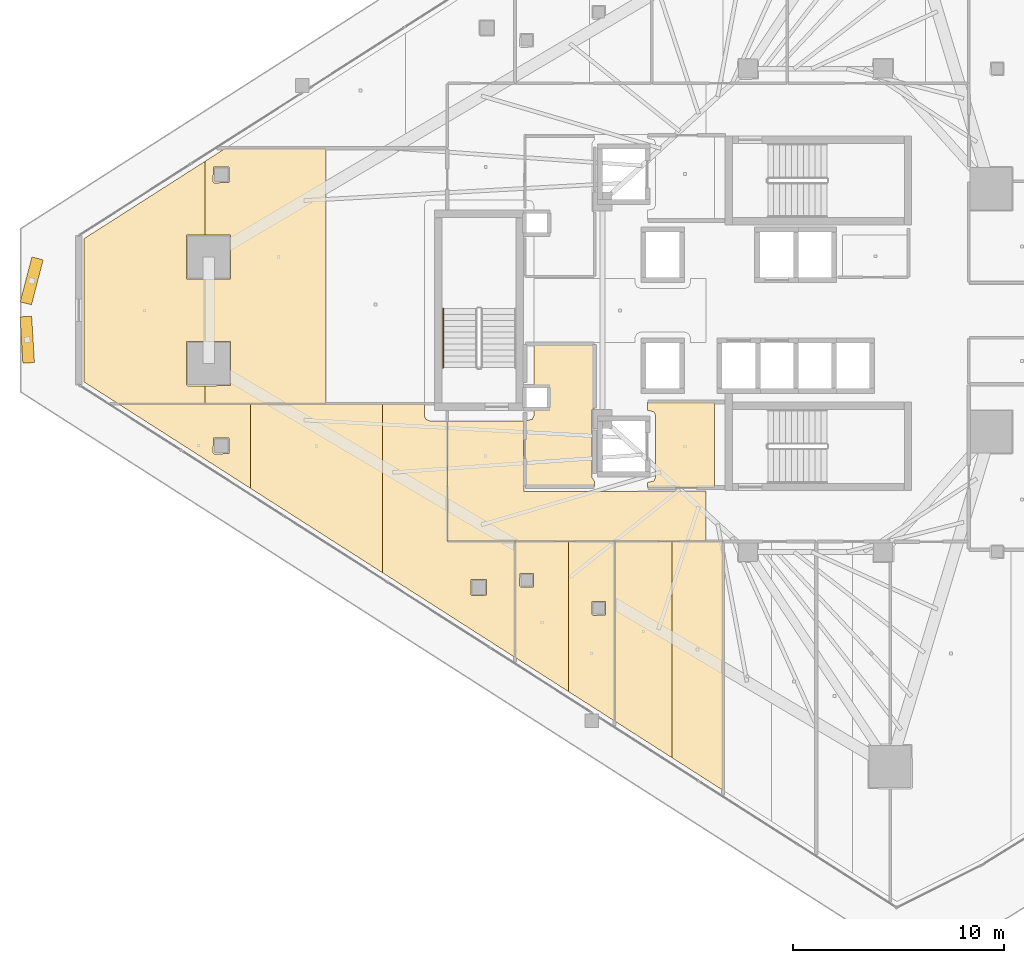
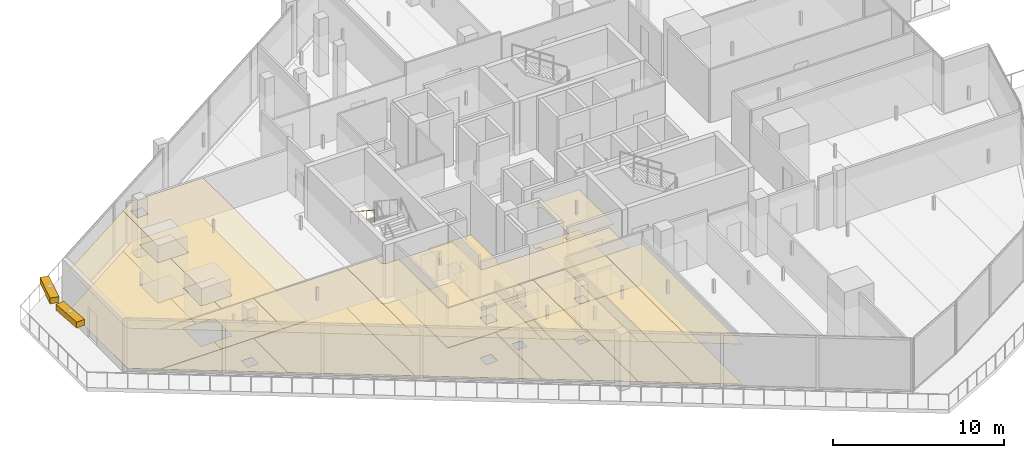
# One storey, part 31 of 37: 23 coverings, 2 shading devices, 1 railing.
"""IFC4 building model written with IfcOpenShell, lengths in metres."""

from ifc_helpers import new_model, si_unit, direction, frame, origin, origin_2d, place, context, subcontext, project, spatial, polyline, rectangle, circle, outline, extrude, material, layer, layer_set, type_object, element, save


model = new_model("IFC4")

# Units and contexts
model_context = context("Model", 3, precision=1e-05, world=origin(), true_north=direction((0.0, 1.0)))
body_context = subcontext(model_context, "Body", "Model", "MODEL_VIEW")
ifc_project = project(units=[si_unit("LENGTHUNIT", "METRE"), si_unit("AREAUNIT", "SQUARE_METRE"), si_unit("VOLUMEUNIT", "CUBIC_METRE"), si_unit("PLANEANGLEUNIT", "RADIAN"), si_unit("MASSUNIT", "GRAM", prefix="KILO")], contexts=[model_context])

# Site, building, storey
site_placement = place(None, origin())
site = spatial("IfcSite", under=ifc_project, at=site_placement, CompositionType="ELEMENT")
building_placement = place(site_placement, origin())
building = spatial("IfcBuilding", under=site, at=building_placement, Name="Qorvath Tower", CompositionType="ELEMENT")
storey_placement = place(building_placement, frame((0.0, 0.0, 184.800048828125)))
storey = spatial("IfcBuildingStorey", under=building, at=storey_placement, Name="L42", CompositionType="ELEMENT", Elevation=184.800048828125)

# Coverings
ifc_material_1 = material(Name="Acoustic mineral fibre ceiling tile", Category="gypsum")
ifc_layer_1 = layer(ifc_material_1, 0.030029296875)
ifc_layer_set_1 = layer_set([ifc_layer_1], Name="COV-CEIL")
covering_type_1 = type_object("IfcCoveringType", Name="COV-CEIL", PredefinedType="CEILING", material=ifc_layer_set_1)
covering_1_placement = place(storey_placement, frame((0.0, 0.0, 2.849853515625)))
element("IfcCovering", 1, at=covering_1_placement, inside=storey, type_object=covering_type_1, Name="L42 Suspended Acoustic Ceiling 002", PredefinedType="CEILING", context=body_context, shape_type="SweptSolid", body=[
    extrude(outline(polyline([(-25.18994140625, -8.39501953125), (-25.18994140625, -4.35498046875), (-28.375, -4.35498046875), (-28.375, -4.739990234375), (-28.063232421875, -4.813232421875), (-27.989990234375, -4.989990234375), (-27.989990234375, -7.909912109375), (-28.063232421875, -8.086669921875), (-28.375, -8.159912109375), (-28.375, -8.39501953125), (-25.18994140625, -8.39501953125)])), origin(), (0.0, 0.0, 1.0), 0.030029296875),
])
covering_2_placement = place(storey_placement, frame((0.0, 0.0, 2.849853515625)))
element("IfcCovering", 2, at=covering_2_placement, inside=storey, type_object=covering_type_1, Name="L42 Suspended Acoustic Ceiling 006", PredefinedType="CEILING", context=body_context, shape_type="SweptSolid", body=[
    extrude(outline(polyline([(-34.22509765625, -8.580078125), (-34.251220703125, -5.239990234375), (-37.844970703125, -5.239990234375), (-37.844970703125, -10.945068359375), (-25.6044921875, -10.945068359375), (-25.6044921875, -8.574462890625), (-34.22509765625, -8.580078125)])), origin(), (0.0, 0.0, 1.0), 0.030029296875),
])
covering_3_placement = place(storey_placement, frame((0.0, 0.0, 2.849853515625)))
element("IfcCovering", 3, at=covering_3_placement, inside=storey, type_object=covering_type_1, Name="L42 Suspended Acoustic Ceiling 016", PredefinedType="CEILING", context=body_context, shape_type="SweptSolid", body=[
    extrude(outline(polyline([(-34.64501953125, -10.962890625), (-34.64501953125, -16.4560546875), (-32.11865234375, -18.07080078125), (-32.11865234375, -10.962890625), (-34.64501953125, -10.962890625)]), holes=[polyline([(-34.439208984375, -13.0673828125), (-34.421630859375, -12.47509765625), (-33.786865234375, -12.47509765625), (-33.786865234375, -13.10986328125), (-34.379150390625, -13.12744140625), (-34.439208984375, -13.0673828125)])]), origin(), (0.0, 0.0, 1.0), 0.030029296875),
])
covering_4_placement = place(storey_placement, frame((0.0, 0.0, 2.849853515625)))
element("IfcCovering", 4, at=covering_4_placement, inside=storey, type_object=covering_type_1, Name="L42 Suspended Acoustic Ceiling 017", PredefinedType="CEILING", context=body_context, shape_type="SweptSolid", body=[
    extrude(outline(polyline([(-32.11865234375, -10.962890625), (-32.11865234375, -18.07080078125), (-29.942626953125, -19.46142578125), (-29.942626953125, -10.962890625), (-32.11865234375, -10.962890625)]), holes=[polyline([(-31.01220703125, -14.3994140625), (-30.99462890625, -13.806884765625), (-30.35986328125, -13.806884765625), (-30.35986328125, -14.441650390625), (-30.9521484375, -14.459228515625), (-31.01220703125, -14.3994140625)])]), origin(), (0.0, 0.0, 1.0), 0.030029296875),
])
covering_5_placement = place(storey_placement, frame((0.0, 0.0, 2.849853515625)))
element("IfcCovering", 5, at=covering_5_placement, inside=storey, type_object=covering_type_1, Name="L42 Suspended Acoustic Ceiling 018", PredefinedType="CEILING", context=body_context, shape_type="SweptSolid", body=[
    extrude(outline(polyline([(-27.22314453125, -21.199462890625), (-27.22314453125, -10.962890625), (-29.9248046875, -10.962890625), (-29.9248046875, -19.472900390625), (-27.22314453125, -21.199462890625)])), origin(), (0.0, 0.0, 1.0), 0.030029296875),
])
covering_6_placement = place(storey_placement, frame((0.0, 0.0, 2.849853515625)))
element("IfcCovering", 6, at=covering_6_placement, inside=storey, type_object=covering_type_1, Name="L42 Suspended Acoustic Ceiling 019", PredefinedType="CEILING", context=body_context, shape_type="SweptSolid", body=[
    extrude(outline(polyline([(-24.797607421875, -10.962890625), (-27.22314453125, -10.962890625), (-27.22314453125, -21.199462890625), (-24.797607421875, -22.749755859375), (-24.797607421875, -10.962890625)])), origin(), (0.0, 0.0, 1.0), 0.030029296875),
])
covering_7_placement = place(storey_placement, frame((0.0, 0.0, 2.849853515625)))
element("IfcCovering", 7, at=covering_7_placement, inside=storey, type_object=covering_type_1, Name="L42 Suspended Acoustic Ceiling 036", PredefinedType="CEILING", context=body_context, shape_type="SweptSolid", body=[
    extrude(outline(polyline([(-47.185546875, -8.44091796875), (-47.185546875, -4.439208984375), (-53.44677734375, -4.439208984375), (-47.185546875, -8.44091796875)]), holes=[polyline([(-48.96337890625, -6.74951171875), (-48.94580078125, -6.05712890625), (-48.2109375, -6.05712890625), (-48.2109375, -6.7919921875), (-48.9033203125, -6.8095703125), (-48.96337890625, -6.74951171875)])]), origin(), (0.0, 0.0, 1.0), 0.030029296875),
])
covering_8_placement = place(storey_placement, frame((0.0, 0.0, 2.849853515625)))
element("IfcCovering", 8, at=covering_8_placement, inside=storey, type_object=covering_type_1, Name="L42 Suspended Acoustic Ceiling 037", PredefinedType="CEILING", context=body_context, shape_type="SweptSolid", body=[
    extrude(outline(polyline([(-40.92431640625, -12.442626953125), (-40.92431640625, -4.439208984375), (-47.185546875, -4.439208984375), (-47.185546875, -8.44091796875), (-40.92431640625, -12.442626953125)])), origin(), (0.0, 0.0, 1.0), 0.030029296875),
])
covering_9_placement = place(storey_placement, frame((0.0, 0.0, 2.849853515625)))
element("IfcCovering", 9, at=covering_9_placement, inside=storey, type_object=covering_type_1, Name="L42 Suspended Acoustic Ceiling 038", PredefinedType="CEILING", context=body_context, shape_type="SweptSolid", body=[
    extrude(outline(polyline([(-37.863037109375, -10.9580078125), (-37.863037109375, -5.239990234375), (-38.699951171875, -5.239990234375), (-38.876708984375, -5.166748046875), (-38.949951171875, -4.989990234375), (-38.949951171875, -4.439208984375), (-40.92431640625, -4.439208984375), (-40.92431640625, -12.442626953125), (-34.6630859375, -16.444580078125), (-34.6630859375, -10.962890625), (-37.863037109375, -10.9580078125)]), holes=[polyline([(-36.749755859375, -13.46044921875), (-36.732177734375, -12.76806640625), (-35.997314453125, -12.76806640625), (-35.997314453125, -13.5029296875), (-36.689697265625, -13.5205078125), (-36.749755859375, -13.46044921875)])]), origin(), (0.0, 0.0, 1.0), 0.030029296875),
])
covering_10_placement = place(storey_placement, frame((0.0, 0.0, 2.849853515625)))
element("IfcCovering", 10, at=covering_10_placement, inside=storey, type_object=covering_type_1, Name="L42 Suspended Acoustic Ceiling 039", PredefinedType="CEILING", context=body_context, shape_type="SweptSolid", body=[
    extrude(outline(polyline([(-49.336181640625, -4.421142578125), (-49.336181640625, -3.58056640625), (-50.171875, -3.587890625), (-50.23193359375, -3.52783203125), (-50.21435546875, -1.4853515625), (-49.336181640625, -1.4853515625), (-49.336181640625, 1.4853515625), (-50.21435546875, 1.4853515625), (-50.21435546875, 3.5703125), (-49.336181640625, 3.5703125), (-49.336181640625, 7.06640625), (-55.07275390625, 3.39990234375), (-55.07275390625, -3.39990234375), (-53.47509765625, -4.421142578125), (-49.336181640625, -4.421142578125)])), origin(), (0.0, 0.0, 1.0), 0.030029296875),
])
covering_11_placement = place(storey_placement, frame((0.0, 0.0, 2.849853515625)))
element("IfcCovering", 11, at=covering_11_placement, inside=storey, type_object=covering_type_1, Name="L42 Suspended Acoustic Ceiling 040", PredefinedType="CEILING", context=body_context, shape_type="SweptSolid", body=[
    extrude(outline(polyline([(-43.599609375, -4.421142578125), (-43.599609375, 7.675048828125), (-48.3837890625, 7.675048828125), (-49.336181640625, 7.06640625), (-49.336181640625, 3.5703125), (-48.12939453125, 3.5703125), (-48.12939453125, 1.4853515625), (-49.336181640625, 1.4853515625), (-49.336181640625, -1.4853515625), (-48.12939453125, -1.4853515625), (-48.12939453125, -3.5703125), (-49.336181640625, -3.58056640625), (-49.336181640625, -4.421142578125), (-43.599609375, -4.421142578125)]), holes=[polyline([(-48.96337890625, 6.099609375), (-48.94580078125, 6.7919921875), (-48.2109375, 6.7919921875), (-48.2109375, 6.05712890625), (-48.9033203125, 6.03955078125), (-48.96337890625, 6.099609375)])]), origin(), (0.0, 0.0, 1.0), 0.030029296875),
])
ifc_material_2 = material(Name="Low-VOC modular carpet tile", Category="textile")
ifc_layer_2 = layer(ifc_material_2, 0.014892578125)
ifc_layer_set_2 = layer_set([ifc_layer_2], Name="COV-FLOOR-CPT")
covering_type_2 = type_object("IfcCoveringType", Name="COV-FLOOR-CPT", PredefinedType="FLOORING", material=ifc_layer_set_2)
covering_12_placement = place(storey_placement, origin())
element("IfcCovering", 12, at=covering_12_placement, inside=storey, type_object=covering_type_2, Name="L42 Floor Finish 005", PredefinedType="FLOORING", context=body_context, shape_type="SweptSolid", body=[
    extrude(outline(polyline([(-30.885009765625, -1.60498046875), (-33.760009765625, -1.60498046875), (-33.760009765625, -3.636962890625), (-33.08837890625, -3.638427734375), (-33.0869140625, -4.6279296875), (-33.760009765625, -4.633056640625), (-33.760009765625, -4.989990234375), (-33.833251953125, -5.166748046875), (-34.175048828125, -5.239990234375), (-34.175048828125, -8.344970703125), (-30.885009765625, -8.344970703125), (-30.885009765625, -8.108154296875), (-31.010009765625, -7.909912109375), (-31.010009765625, -4.989990234375), (-31.010009765625, -4.699951171875), (-30.885009765625, -4.639892578125), (-30.885009765625, -1.60498046875)])), origin(), (0.0, 0.0, 1.0), 0.014892578125),
])
covering_13_placement = place(storey_placement, origin())
element("IfcCovering", 13, at=covering_13_placement, inside=storey, type_object=covering_type_2, Name="L42 Floor Finish 016", PredefinedType="FLOORING", context=body_context, shape_type="SweptSolid", body=[
    extrude(outline(polyline([(-34.64501953125, -10.962890625), (-34.64501953125, -16.4560546875), (-32.11865234375, -18.07080078125), (-32.11865234375, -10.962890625), (-34.64501953125, -10.962890625)]), holes=[polyline([(-34.439208984375, -13.0673828125), (-34.421630859375, -12.47509765625), (-33.786865234375, -12.47509765625), (-33.786865234375, -13.10986328125), (-34.379150390625, -13.12744140625), (-34.439208984375, -13.0673828125)])]), origin(), (0.0, 0.0, 1.0), 0.014892578125),
])
covering_14_placement = place(storey_placement, origin())
element("IfcCovering", 14, at=covering_14_placement, inside=storey, type_object=covering_type_2, Name="L42 Floor Finish 017", PredefinedType="FLOORING", context=body_context, shape_type="SweptSolid", body=[
    extrude(outline(polyline([(-32.11865234375, -10.962890625), (-32.11865234375, -18.07080078125), (-29.942626953125, -19.46142578125), (-29.942626953125, -10.962890625), (-32.11865234375, -10.962890625)]), holes=[polyline([(-31.01220703125, -14.3994140625), (-30.99462890625, -13.806884765625), (-30.35986328125, -13.806884765625), (-30.35986328125, -14.441650390625), (-30.9521484375, -14.459228515625), (-31.01220703125, -14.3994140625)])]), origin(), (0.0, 0.0, 1.0), 0.014892578125),
])
covering_15_placement = place(storey_placement, origin())
element("IfcCovering", 15, at=covering_15_placement, inside=storey, type_object=covering_type_2, Name="L42 Floor Finish 018", PredefinedType="FLOORING", context=body_context, shape_type="SweptSolid", body=[
    extrude(outline(polyline([(-27.22314453125, -21.199462890625), (-27.22314453125, -10.962890625), (-29.9248046875, -10.962890625), (-29.9248046875, -19.472900390625), (-27.22314453125, -21.199462890625)])), origin(), (0.0, 0.0, 1.0), 0.014892578125),
])
covering_16_placement = place(storey_placement, origin())
element("IfcCovering", 16, at=covering_16_placement, inside=storey, type_object=covering_type_2, Name="L42 Floor Finish 019", PredefinedType="FLOORING", context=body_context, shape_type="SweptSolid", body=[
    extrude(outline(polyline([(-24.797607421875, -10.962890625), (-27.22314453125, -10.962890625), (-27.22314453125, -21.199462890625), (-24.797607421875, -22.749755859375), (-24.797607421875, -10.962890625)])), origin(), (0.0, 0.0, 1.0), 0.014892578125),
])
covering_17_placement = place(storey_placement, origin())
element("IfcCovering", 17, at=covering_17_placement, inside=storey, type_object=covering_type_2, Name="L42 Floor Finish 036", PredefinedType="FLOORING", context=body_context, shape_type="SweptSolid", body=[
    extrude(outline(polyline([(-47.185546875, -8.44091796875), (-47.185546875, -4.439208984375), (-53.44677734375, -4.439208984375), (-47.185546875, -8.44091796875)]), holes=[polyline([(-48.96337890625, -6.74951171875), (-48.94580078125, -6.05712890625), (-48.2109375, -6.05712890625), (-48.2109375, -6.7919921875), (-48.9033203125, -6.8095703125), (-48.96337890625, -6.74951171875)])]), origin(), (0.0, 0.0, 1.0), 0.014892578125),
])
covering_18_placement = place(storey_placement, origin())
element("IfcCovering", 18, at=covering_18_placement, inside=storey, type_object=covering_type_2, Name="L42 Floor Finish 037", PredefinedType="FLOORING", context=body_context, shape_type="SweptSolid", body=[
    extrude(outline(polyline([(-40.92431640625, -12.442626953125), (-40.92431640625, -4.439208984375), (-47.185546875, -4.439208984375), (-47.185546875, -8.44091796875), (-40.92431640625, -12.442626953125)])), origin(), (0.0, 0.0, 1.0), 0.014892578125),
])
covering_19_placement = place(storey_placement, origin())
element("IfcCovering", 19, at=covering_19_placement, inside=storey, type_object=covering_type_2, Name="L42 Floor Finish 038", PredefinedType="FLOORING", context=body_context, shape_type="SweptSolid", body=[
    extrude(outline(polyline([(-37.863037109375, -10.9580078125), (-37.863037109375, -5.239990234375), (-38.699951171875, -5.239990234375), (-38.876708984375, -5.166748046875), (-38.949951171875, -4.989990234375), (-38.949951171875, -4.439208984375), (-40.92431640625, -4.439208984375), (-40.92431640625, -12.442626953125), (-34.6630859375, -16.444580078125), (-34.6630859375, -10.962890625), (-37.863037109375, -10.9580078125)]), holes=[polyline([(-36.749755859375, -13.46044921875), (-36.732177734375, -12.76806640625), (-35.997314453125, -12.76806640625), (-35.997314453125, -13.5029296875), (-36.689697265625, -13.5205078125), (-36.749755859375, -13.46044921875)])]), origin(), (0.0, 0.0, 1.0), 0.014892578125),
])
covering_20_placement = place(storey_placement, origin())
element("IfcCovering", 20, at=covering_20_placement, inside=storey, type_object=covering_type_2, Name="L42 Floor Finish 039", PredefinedType="FLOORING", context=body_context, shape_type="SweptSolid", body=[
    extrude(outline(polyline([(-49.336181640625, -4.421142578125), (-49.336181640625, -3.58056640625), (-50.171875, -3.587890625), (-50.23193359375, -3.52783203125), (-50.21435546875, -1.4853515625), (-49.336181640625, -1.4853515625), (-49.336181640625, 1.4853515625), (-50.21435546875, 1.4853515625), (-50.21435546875, 3.5703125), (-49.336181640625, 3.5703125), (-49.336181640625, 7.06640625), (-55.07275390625, 3.39990234375), (-55.07275390625, -3.39990234375), (-53.47509765625, -4.421142578125), (-49.336181640625, -4.421142578125)])), origin(), (0.0, 0.0, 1.0), 0.014892578125),
])
covering_21_placement = place(storey_placement, origin())
element("IfcCovering", 21, at=covering_21_placement, inside=storey, type_object=covering_type_2, Name="L42 Floor Finish 040", PredefinedType="FLOORING", context=body_context, shape_type="SweptSolid", body=[
    extrude(outline(polyline([(-43.599609375, -4.421142578125), (-43.599609375, 7.675048828125), (-48.3837890625, 7.675048828125), (-49.336181640625, 7.06640625), (-49.336181640625, 3.5703125), (-48.12939453125, 3.5703125), (-48.12939453125, 1.4853515625), (-49.336181640625, 1.4853515625), (-49.336181640625, -1.4853515625), (-48.12939453125, -1.4853515625), (-48.12939453125, -3.5703125), (-49.336181640625, -3.58056640625), (-49.336181640625, -4.421142578125), (-43.599609375, -4.421142578125)]), holes=[polyline([(-48.96337890625, 6.099609375), (-48.94580078125, 6.7919921875), (-48.2109375, 6.7919921875), (-48.2109375, 6.05712890625), (-48.9033203125, 6.03955078125), (-48.96337890625, 6.099609375)])]), origin(), (0.0, 0.0, 1.0), 0.014892578125),
])
ifc_material_3 = material(Name="Polished epoxy terrazzo flooring", Category="concrete")
ifc_layer_3 = layer(ifc_material_3, 0.02001953125)
ifc_layer_set_3 = layer_set([ifc_layer_3], Name="COV-FLOOR-TRZ")
covering_type_3 = type_object("IfcCoveringType", Name="COV-FLOOR-TRZ", PredefinedType="FLOORING", material=ifc_layer_set_3)
covering_22_placement = place(storey_placement, origin())
element("IfcCovering", 22, at=covering_22_placement, inside=storey, type_object=covering_type_3, Name="L42 Floor Finish 002", PredefinedType="FLOORING", context=body_context, shape_type="SweptSolid", body=[
    extrude(outline(polyline([(-25.18994140625, -8.39501953125), (-25.18994140625, -4.35498046875), (-28.375, -4.35498046875), (-28.375, -4.739990234375), (-28.063232421875, -4.813232421875), (-27.989990234375, -4.989990234375), (-27.989990234375, -7.909912109375), (-28.063232421875, -8.086669921875), (-28.375, -8.159912109375), (-28.375, -8.39501953125), (-25.18994140625, -8.39501953125)])), origin(), (0.0, 0.0, 1.0), 0.014892578125),
])
covering_23_placement = place(storey_placement, origin())
element("IfcCovering", 23, at=covering_23_placement, inside=storey, type_object=covering_type_3, Name="L42 Floor Finish 006", PredefinedType="FLOORING", context=body_context, shape_type="SweptSolid", body=[
    extrude(outline(polyline([(-34.22509765625, -8.580078125), (-34.251220703125, -5.239990234375), (-37.844970703125, -5.239990234375), (-37.844970703125, -10.945068359375), (-25.6044921875, -10.945068359375), (-25.6044921875, -8.574462890625), (-34.22509765625, -8.580078125)])), origin(), (0.0, 0.0, 1.0), 0.014892578125),
])

# Railing
ifc_material_4 = material(Name="Brushed stainless steel AISI 304", Category="steel")
railing_type = type_object("IfcRailingType", Name="RL-STR-HND", PredefinedType="HANDRAIL", material=ifc_material_4)
railing_placement = place(storey_placement, frame((-38.06005859375, 0.080078125, 2.208984375)))
element("IfcRailing", 24, at=railing_placement, inside=storey, type_object=railing_type, Name="L42 TS3 stair handrail 2", PredefinedType="HANDRAIL", context=body_context, shape_type="SweptSolid", body=[
    extrude(circle(Radius=0.02392578125, at=origin_2d()), frame((0.0, 0.0, 0.8759765625), z_axis=(0.0, -0.83556406348, 0.549393024911), x_axis=(1.0, 0.0, 0.0)), (0.0, 0.0, 1.0), 3.35107421875),
    extrude(circle(Radius=0.02099609375, at=origin_2d()), origin(), (0.0, 0.0, 1.0), 0.851806640625),
    extrude(circle(Radius=0.02099609375, at=origin_2d()), frame((0.0, -0.933349609375, 0.61376953125)), (0.0, 0.0, 1.0), 0.851806640625),
    extrude(circle(Radius=0.02099609375, at=origin_2d()), frame((0.0, -1.86669921875, 1.227294921875)), (0.0, 0.0, 1.0), 0.851806640625),
    extrude(circle(Radius=0.02099609375, at=origin_2d()), frame((0.0, -2.800048828125, 1.841064453125)), (0.0, 0.0, 1.0), 0.851806640625),
])

# Shading devices
ifc_material_5 = material(Name="Anodised bronze-champagne aluminium", Category="aluminium")
shading_device_type = type_object("IfcShadingDeviceType", Name="SD-LOUVRE", PredefinedType="JALOUSIE", material=ifc_material_5)
for number, where, z_axis, x_axis, name in (
    (25, (-57.561279296875, 1.394287109375, 3.360107421875), (0.0, 0.0, 1.0), (-0.251642023988, -0.967820381973, 0.0), "Sinusoidal Wave Louvre Blade L42-01"),
    (26, (-57.771240234375, -1.394287109375, 3.360107421875), (0.0, 0.0, 1.0), (0.060231486533, -0.998184435878, 0.0), "Sinusoidal Wave Louvre Blade L42-02"),
):
    element("IfcShadingDevice", number, at=place(storey_placement, frame(where, z_axis=z_axis, x_axis=x_axis)), inside=storey, type_object=shading_device_type, Name=name, PredefinedType="NOTDEFINED", context=body_context, shape_type="SweptSolid", body=[
        extrude(rectangle(XDim=2.199951171875, YDim=0.550048828125, at=origin_2d()), origin(), (0.0, 0.0, 1.0), 0.419921875),
    ])

save(model, "model.ifc")
